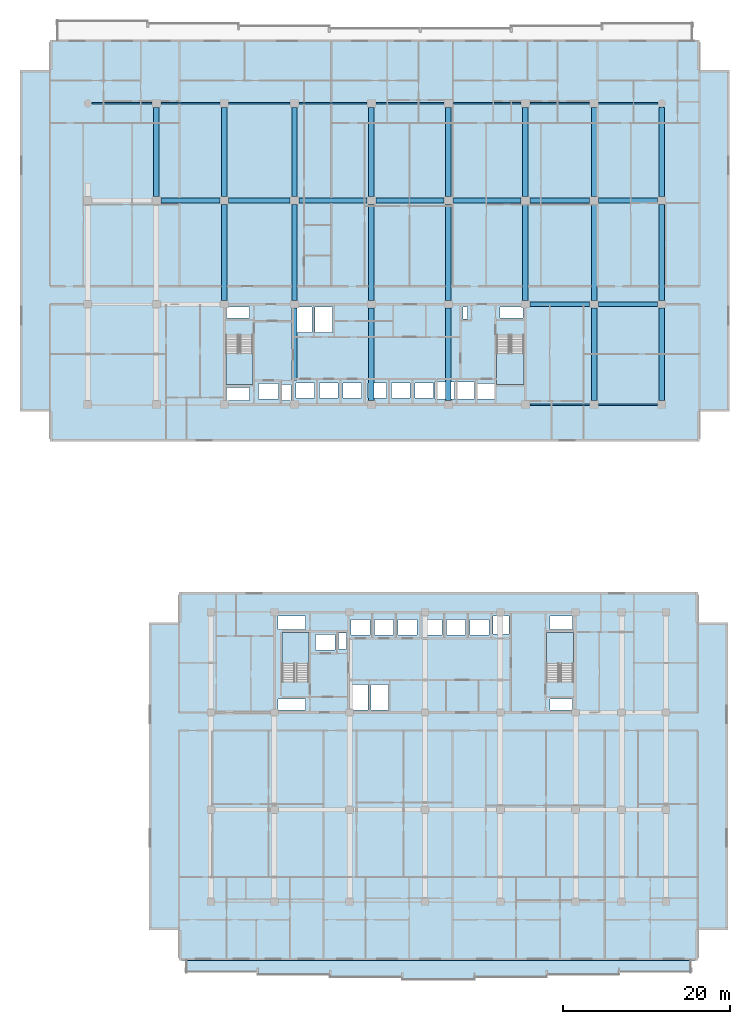
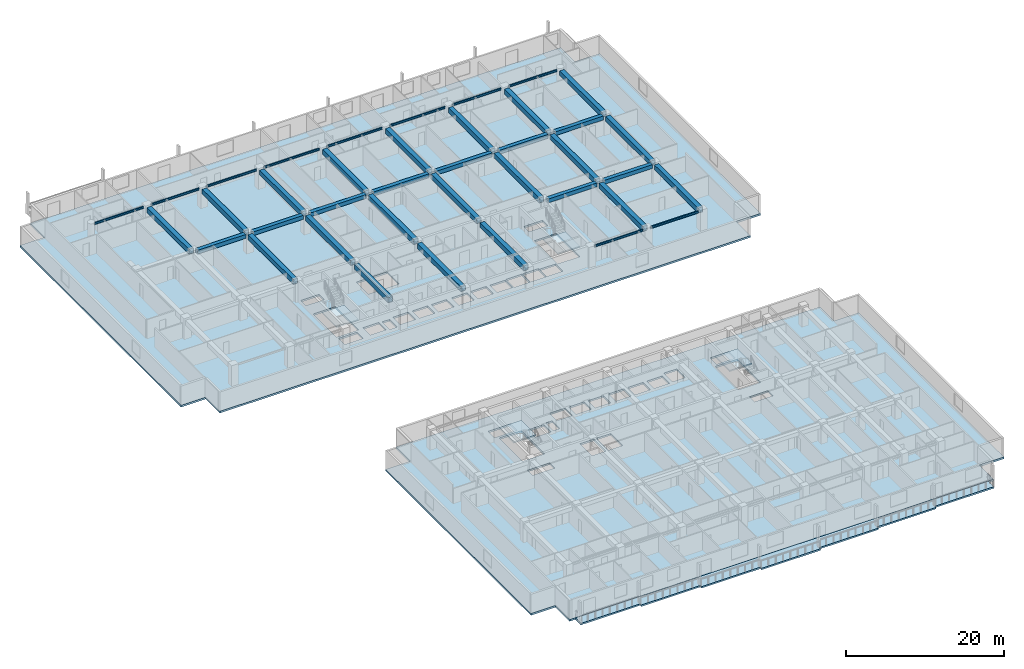
# One storey, part 2 of 24: 39 beams, 7 slabs, 4 elements without a shape of their own.
"""IFC4 building model written with IfcOpenShell, lengths in metres."""

import ifcopenshell
import ifcopenshell.guid

model = None  # the IFC model being written
_history = None  # IfcOwnerHistory: only IFC2X3 demands one
_inside = {}  # id of a spatial element -> (the spatial element, [elements in it])
_under = {}  # id of a project, library or spatial element -> (it, [spatial elements below it])
_declared = {}  # id of a project -> (the project, [libraries it declares])
_typed = {}  # id of a type object -> (the type object, [elements of that type])
_made_of = {}  # id of a material, layer set ... -> (it, [elements and type objects made of it])


def new_model(schema):
    """Start an empty IFC model of exactly this schema.

    Asked for "IFC4X3", IfcOpenShell would pick the latest addendum, in which some entities
    have other attributes; the version numbers below select the first issue.
    IFC2X3 requires an IfcOwnerHistory on every rooted entity: one is made here for all.
    """
    global model, _history
    if schema == "IFC4X3":
        model = ifcopenshell.file(schema_version=(4, 3, 0, 0))
    else:
        model = ifcopenshell.file(schema=schema)
    _inside.clear()
    _under.clear()
    _declared.clear()
    _typed.clear()
    _made_of.clear()
    _history = None
    if model.schema == "IFC2X3":
        org = make("IfcOrganization", Name="unknown")
        user = make(
            "IfcPersonAndOrganization",
            ThePerson=make("IfcPerson", FamilyName="unknown"),
            TheOrganization=org,
        )
        app = make(
            "IfcApplication",
            ApplicationDeveloper=org,
            Version="unknown",
            ApplicationFullName="unknown",
            ApplicationIdentifier="unknown",
        )
        _history = make(
            "IfcOwnerHistory",
            OwningUser=user,
            OwningApplication=app,
            ChangeAction="ADDED",
            CreationDate=0,
        )
    return model


def make(cls, **values):
    """One entity of the class cls with the attributes given. An attribute that is None is left unset."""
    return model.create_entity(
        cls, **{name: value for name, value in values.items() if value is not None}
    )


def rooted(cls, **values):
    """An entity with a GlobalId (a new one), such as an element, a storey or a relation."""
    return make(cls, GlobalId=ifcopenshell.guid.new(), OwnerHistory=_history, **values)


def si_unit(unit_type, name, prefix=None):
    """IfcSIUnit, for example si_unit("LENGTHUNIT", "METRE", prefix="MILLI")."""
    return make("IfcSIUnit", UnitType=unit_type, Prefix=prefix, Name=name)


def assignment(units):
    """IfcUnitAssignment: the units of a project."""
    return None if units is None else make("IfcUnitAssignment", Units=units)


def point(xyz):
    """IfcCartesianPoint."""
    return None if xyz is None else make("IfcCartesianPoint", Coordinates=xyz)


def direction(xyz):
    """IfcDirection."""
    return None if xyz is None else make("IfcDirection", DirectionRatios=xyz)


def frame(location, z_axis=None, x_axis=None):
    """IfcAxis2Placement3D, a coordinate frame: its origin and axes. An axis left out is left unset."""
    return make(
        "IfcAxis2Placement3D",
        Location=point(location),
        Axis=direction(z_axis),
        RefDirection=direction(x_axis),
    )


def frame_2d(location, x_axis=None):
    """IfcAxis2Placement2D, a coordinate frame in the plane: its origin and x axis."""
    return make(
        "IfcAxis2Placement2D", Location=point(location), RefDirection=direction(x_axis)
    )


def origin():
    """The frame at (0, 0, 0) with its axes left unset."""
    return frame((0.0, 0.0, 0.0))


def origin_2d():
    """The frame at (0, 0) in the plane with its x axis left unset."""
    return frame_2d((0.0, 0.0))


def place(relative_to, where):
    """IfcLocalPlacement: puts the frame where relative to a parent placement (None: the world)."""
    return make(
        "IfcLocalPlacement", PlacementRelTo=relative_to, RelativePlacement=where
    )


def context(
    kind, dimensions, precision=None, world=None, true_north=None, identifier=None
):
    """IfcGeometricRepresentationContext, for example the 3D "Model" context."""
    return make(
        "IfcGeometricRepresentationContext",
        ContextIdentifier=identifier,
        ContextType=kind,
        CoordinateSpaceDimension=dimensions,
        Precision=precision,
        WorldCoordinateSystem=world,
        TrueNorth=true_north,
    )


def subcontext(parent, identifier, kind, view, scale=None):
    """IfcGeometricRepresentationSubContext, for example "Body" below "Model"."""
    return make(
        "IfcGeometricRepresentationSubContext",
        ContextIdentifier=identifier,
        ContextType=kind,
        ParentContext=parent,
        TargetScale=scale,
        TargetView=view,
    )


def project(units=None, contexts=None):
    """IfcProject with its units and contexts."""
    return rooted(
        "IfcProject",
        Name="project",
        RepresentationContexts=contexts,
        UnitsInContext=assignment(units),
    )


def spatial(cls, under=None, at=None, **own):
    """A site, building, storey or space (cls), placed at a placement, below another one or the project."""
    s = rooted(cls, ObjectPlacement=at, **own)
    if under is not None:
        _under.setdefault(under.id(), (under, []))[1].append(s)
    return s


def polyline(points):
    """IfcPolyline through the points."""
    return make("IfcPolyline", Points=[point(p) for p in points])


def profile(cls, at=None, kind="AREA", **sizes):
    """A parametric profile (cls). Its sizes go by their IFC names, for example OverallWidth=200.0."""
    return make(cls, ProfileType=kind, Position=at, **sizes)


def rectangle(**sizes):
    """IfcRectangleProfileDef."""
    return profile("IfcRectangleProfileDef", **sizes)


def i_section(**sizes):
    """IfcIShapeProfileDef."""
    return profile("IfcIShapeProfileDef", **sizes)


def outline(outer, holes=None, kind="AREA"):
    """IfcArbitraryClosedProfileDef: a profile drawn as a closed curve; with holes, ...WithVoids."""
    if holes is None:
        return make("IfcArbitraryClosedProfileDef", ProfileType=kind, OuterCurve=outer)
    return make(
        "IfcArbitraryProfileDefWithVoids",
        ProfileType=kind,
        OuterCurve=outer,
        InnerCurves=holes,
    )


def extrude(swept, where, along, depth):
    """IfcExtrudedAreaSolid: the profile swept, set in the frame where, extruded along a direction by depth."""
    return make(
        "IfcExtrudedAreaSolid",
        SweptArea=swept,
        Position=where,
        ExtrudedDirection=direction(along),
        Depth=depth,
    )


def shape(context_of_items, identifier, shape_type, items):
    """IfcShapeRepresentation: the items that make up one representation, for example the "Body"."""
    return make(
        "IfcShapeRepresentation",
        ContextOfItems=context_of_items,
        RepresentationIdentifier=identifier,
        RepresentationType=shape_type,
        Items=items,
    )


def material(Name=None, Category=None):
    """IfcMaterial."""
    return make("IfcMaterial", Name=Name, Category=Category)


def layer(
    of_material, thickness, ventilated=None, Name=None, Category=None, Priority=None
):
    """IfcMaterialLayer: one layer of a wall or slab, of a material (None: an air gap)."""
    return make(
        "IfcMaterialLayer",
        Material=of_material,
        LayerThickness=thickness,
        IsVentilated=ventilated,
        Name=Name,
        Category=Category,
        Priority=Priority,
    )


def layer_set(layers, Name=None):
    """IfcMaterialLayerSet."""
    return make("IfcMaterialLayerSet", MaterialLayers=layers, LayerSetName=Name)


def material_profile(
    of_material, cross_section, Name=None, Category=None, Priority=None
):
    """IfcMaterialProfile: a cross section and its material."""
    return make(
        "IfcMaterialProfile",
        Name=Name,
        Material=of_material,
        Profile=cross_section,
        Priority=Priority,
        Category=Category,
    )


def profile_set(profiles, Name=None, composite=None):
    """IfcMaterialProfileSet."""
    return make(
        "IfcMaterialProfileSet",
        Name=Name,
        MaterialProfiles=profiles,
        CompositeProfile=composite,
    )


def made_of(thing, what):
    """Note that an element or type object is made of a material, layer set ...; save() writes the relation."""
    if what is not None:
        _made_of.setdefault(what.id(), (what, []))[1].append(thing)
    return thing


def type_object(cls, material=None, **own):
    """A type object (cls), such as IfcWallType, which elements share."""
    return made_of(rooted(cls, **own), material)


def element(
    cls,
    number,
    at=None,
    inside=None,
    cuts=None,
    type_object=None,
    material=None,
    context=None,
    identifier="Body",
    shape_type=None,
    held_by="IfcProductDefinitionShape",
    body=None,
    shapes=None,
    **own,
):
    """One element of the class cls, such as IfcWall. Its Tag is "e" and its number.

    at: its placement. inside: the storey or other place that contains it. cuts: it is an
    opening in that element (IfcRelVoidsElement). A single representation is given by context,
    identifier, shape_type and body (its items); several are given by shapes. held_by: the class
    of the entity that holds the representations. save() writes the other relations.
    """
    e = rooted(cls, Tag="e%d" % number, ObjectPlacement=at, **own)
    if body is not None:
        shapes = [shape(context, identifier, shape_type, body)]
    if shapes is not None:
        e.Representation = make(held_by, Representations=shapes)
    if inside is not None:
        _inside.setdefault(inside.id(), (inside, []))[1].append(e)
    if cuts is not None:
        rooted(
            "IfcRelVoidsElement", RelatingBuildingElement=cuts, RelatedOpeningElement=e
        )
    if type_object is not None:
        _typed.setdefault(type_object.id(), (type_object, []))[1].append(e)
    return made_of(e, material)


def aggregate(whole, parts):
    """IfcRelAggregates: a whole, such as a stair, and the parts it consists of."""
    return rooted("IfcRelAggregates", RelatingObject=whole, RelatedObjects=parts)


def save(model, path):
    """Write the relations noted so far, then the file.

    IfcRelAggregates (storeys below a building ...), IfcRelContainedInSpatialStructure (elements
    in a storey), IfcRelDefinesByType, IfcRelAssociatesMaterial and IfcRelDeclares: one each for
    every whole, place, type object, material and project.
    """
    for whole, parts in _under.values():
        aggregate(whole, parts)
    for where, things in _inside.values():
        rooted(
            "IfcRelContainedInSpatialStructure",
            RelatedElements=things,
            RelatingStructure=where,
        )
    for kind, things in _typed.values():
        rooted("IfcRelDefinesByType", RelatedObjects=things, RelatingType=kind)
    for what, things in _made_of.values():
        rooted("IfcRelAssociatesMaterial", RelatedObjects=things, RelatingMaterial=what)
    for by, libraries in _declared.values():
        rooted("IfcRelDeclares", RelatingContext=by, RelatedDefinitions=libraries)
    model.write(path)


model = new_model("IFC4")

# Units and contexts
model_context = context("Model", 3, precision=1e-05, world=origin(), true_north=direction((0.0, 1.0)))
body_context = subcontext(model_context, "Body", "Model", "MODEL_VIEW")
ifc_project = project(units=[si_unit("LENGTHUNIT", "METRE"), si_unit("AREAUNIT", "SQUARE_METRE"), si_unit("VOLUMEUNIT", "CUBIC_METRE"), si_unit("PLANEANGLEUNIT", "RADIAN"), si_unit("MASSUNIT", "GRAM", prefix="KILO")], contexts=[model_context])

# Site, building, storey
site_placement = place(None, origin())
site = spatial("IfcSite", under=ifc_project, at=site_placement, CompositionType="ELEMENT")
building_placement = place(site_placement, origin())
building = spatial("IfcBuilding", under=site, at=building_placement, Name="Korimba Cascade Residences", CompositionType="ELEMENT")
storey_placement = place(building_placement, frame((0.0, 0.0, 43.5)))
storey = spatial("IfcBuildingStorey", under=building, at=storey_placement, Name="L11", CompositionType="ELEMENT", Elevation=43.5)

# Beams
ifc_material_1 = material(Name="Concrete C50/60", Category="concrete")
ifc_material_profile_1 = material_profile(ifc_material_1, rectangle(XDim=0.550048828125, YDim=0.60009765625, at=origin_2d()), Name="Concrete C50/60")
ifc_profile_set_1 = profile_set([ifc_material_profile_1], Name="Concrete C50/60")
beam_type_1 = type_object("IfcBeamType", Name="BM-RC-B600", PredefinedType="BEAM", material=ifc_profile_set_1)
beam_1_placement = place(storey_placement, frame((112.625, 67.199951171875, 2.669921875), z_axis=(1.0, 0.0, 0.0), x_axis=(0.0, 1.0, 0.0)))
element("IfcBeam", 1, at=beam_1_placement, inside=storey, type_object=beam_type_1, Name="L11 T1 E-W Girder Y2 Bay 7", PredefinedType="BEAM", context=body_context, shape_type="SweptSolid", body=[
    extrude(rectangle(XDim=0.550048828125, YDim=0.60009765625, at=origin_2d()), origin(), (0.0, 0.0, 1.0), 7.14990234375),
])
for number, where, z_axis, x_axis, name in (
    (2, (120.824951171875, 67.199951171875, 2.669921875), (1.0, 0.0, 0.0), (0.0, 1.0, 0.0), "L11 T1 E-W Girder Y2 Bay 8"),
    (3, (68.52490234375, 79.60009765625, 2.669921875), (1.0, 0.0, 0.0), (0.0, 1.0, 0.0), "L11 T1 E-W Girder Y3 Bay 2"),
):
    element("IfcBeam", number, at=place(storey_placement, frame(where, z_axis=z_axis, x_axis=x_axis)), inside=storey, type_object=beam_type_1, Name=name, PredefinedType="BEAM", context=body_context, shape_type="SweptSolid", body=[
        extrude(rectangle(XDim=0.550048828125, YDim=0.60009765625, at=origin_2d()), origin(), (0.0, 0.0, 1.0), 7.050048828125),
    ])
beam_2_placement = place(storey_placement, frame((76.625, 79.60009765625, 2.669921875), z_axis=(1.0, 0.0, 0.0), x_axis=(0.0, 1.0, 0.0)))
element("IfcBeam", 4, at=beam_2_placement, inside=storey, type_object=beam_type_1, Name="L11 T1 E-W Girder Y3 Bay 3", PredefinedType="BEAM", context=body_context, shape_type="SweptSolid", body=[
    extrude(rectangle(XDim=0.550048828125, YDim=0.60009765625, at=origin_2d()), origin(), (0.0, 0.0, 1.0), 7.35009765625),
])
beam_3_placement = place(storey_placement, frame((85.02490234375, 79.60009765625, 2.669921875), z_axis=(1.0, 0.0, 0.0), x_axis=(0.0, 1.0, 0.0)))
element("IfcBeam", 5, at=beam_3_placement, inside=storey, type_object=beam_type_1, Name="L11 T1 E-W Girder Y3 Bay 4", PredefinedType="BEAM", context=body_context, shape_type="SweptSolid", body=[
    extrude(rectangle(XDim=0.550048828125, YDim=0.60009765625, at=origin_2d()), origin(), (0.0, 0.0, 1.0), 8.150146484375),
])
for number, where, z_axis, x_axis, name in (
    (6, (94.22509765625, 79.60009765625, 2.669921875), (1.0, 0.0, 0.0), (0.0, 1.0, 0.0), "L11 T1 E-W Girder Y3 Bay 5"),
    (7, (103.425048828125, 79.60009765625, 2.669921875), (1.0, 0.0, 0.0), (0.0, 1.0, 0.0), "L11 T1 E-W Girder Y3 Bay 6"),
):
    element("IfcBeam", number, at=place(storey_placement, frame(where, z_axis=z_axis, x_axis=x_axis)), inside=storey, type_object=beam_type_1, Name=name, PredefinedType="BEAM", context=body_context, shape_type="SweptSolid", body=[
        extrude(rectangle(XDim=0.550048828125, YDim=0.60009765625, at=origin_2d()), origin(), (0.0, 0.0, 1.0), 8.14990234375),
    ])
beam_4_placement = place(storey_placement, frame((112.625, 79.60009765625, 2.669921875), z_axis=(1.0, 0.0, 0.0), x_axis=(0.0, 1.0, 0.0)))
element("IfcBeam", 8, at=beam_4_placement, inside=storey, type_object=beam_type_1, Name="L11 T1 E-W Girder Y3 Bay 7", PredefinedType="BEAM", context=body_context, shape_type="SweptSolid", body=[
    extrude(rectangle(XDim=0.550048828125, YDim=0.60009765625, at=origin_2d()), origin(), (0.0, 0.0, 1.0), 7.14990234375),
])
beam_5_placement = place(storey_placement, frame((120.824951171875, 79.60009765625, 2.669921875), z_axis=(1.0, 0.0, 0.0), x_axis=(0.0, 1.0, 0.0)))
element("IfcBeam", 9, at=beam_5_placement, inside=storey, type_object=beam_type_1, Name="L11 T1 E-W Girder Y3 Bay 8", PredefinedType="BEAM", context=body_context, shape_type="SweptSolid", body=[
    extrude(rectangle(XDim=0.550048828125, YDim=0.60009765625, at=origin_2d()), origin(), (0.0, 0.0, 1.0), 7.050048828125),
])
ifc_material_profile_2 = material_profile(ifc_material_1, rectangle(XDim=0.64990234375, YDim=0.75, at=origin_2d()), Name="Concrete C50/60")
ifc_profile_set_2 = profile_set([ifc_material_profile_2], Name="Concrete C50/60")
beam_type_2 = type_object("IfcBeamType", Name="BM-RC-G750", PredefinedType="BEAM", material=ifc_profile_set_2)
beam_6_placement = place(storey_placement, frame((68.0, 80.074951171875, 2.594970703125), z_axis=(0.0, 1.0, 0.0), x_axis=(-1.0, 0.0, 0.0)))
element("IfcBeam", 10, at=beam_6_placement, inside=storey, type_object=beam_type_2, Name="L11 T1 N-S Girder X2 Seg 3", PredefinedType="BEAM", context=body_context, shape_type="SweptSolid", body=[
    extrude(rectangle(XDim=0.64990234375, YDim=0.75, at=origin_2d()), origin(), (0.0, 0.0, 1.0), 10.650146484375),
])
beam_7_placement = place(storey_placement, frame((76.10009765625, 67.675048828125, 2.594970703125), z_axis=(0.0, 1.0, 0.0), x_axis=(-1.0, 0.0, 0.0)))
element("IfcBeam", 11, at=beam_7_placement, inside=storey, type_object=beam_type_2, Name="L11 T1 N-S Girder X3 Seg 2", PredefinedType="BEAM", context=body_context, shape_type="SweptSolid", body=[
    extrude(rectangle(XDim=0.64990234375, YDim=0.75, at=origin_2d()), origin(), (0.0, 0.0, 1.0), 11.449951171875),
])
beam_8_placement = place(storey_placement, frame((76.10009765625, 80.074951171875, 2.594970703125), z_axis=(0.0, 1.0, 0.0), x_axis=(-1.0, 0.0, 0.0)))
element("IfcBeam", 12, at=beam_8_placement, inside=storey, type_object=beam_type_2, Name="L11 T1 N-S Girder X3 Seg 3", PredefinedType="BEAM", context=body_context, shape_type="SweptSolid", body=[
    extrude(rectangle(XDim=0.64990234375, YDim=0.75, at=origin_2d()), origin(), (0.0, 0.0, 1.0), 10.650146484375),
])
beam_9_placement = place(storey_placement, frame((84.5, 58.159912109375, 2.594970703125), z_axis=(0.0, 1.0, 0.0), x_axis=(-1.0, 0.0, 0.0)))
element("IfcBeam", 13, at=beam_9_placement, inside=storey, type_object=beam_type_2, Name="L11 T1 N-S Girder X4 Seg 1", PredefinedType="BEAM", context=body_context, shape_type="SweptSolid", body=[
    extrude(rectangle(XDim=0.64990234375, YDim=0.75, at=origin_2d()), origin(), (0.0, 0.0, 1.0), 8.565185546875),
])
beam_10_placement = place(storey_placement, frame((84.5, 67.675048828125, 2.594970703125), z_axis=(0.0, 1.0, 0.0), x_axis=(-1.0, 0.0, 0.0)))
element("IfcBeam", 14, at=beam_10_placement, inside=storey, type_object=beam_type_2, Name="L11 T1 N-S Girder X4 Seg 2", PredefinedType="BEAM", context=body_context, shape_type="SweptSolid", body=[
    extrude(rectangle(XDim=0.64990234375, YDim=0.75, at=origin_2d()), origin(), (0.0, 0.0, 1.0), 11.449951171875),
])
beam_11_placement = place(storey_placement, frame((84.5, 80.074951171875, 2.594970703125), z_axis=(0.0, 1.0, 0.0), x_axis=(-1.0, 0.0, 0.0)))
element("IfcBeam", 15, at=beam_11_placement, inside=storey, type_object=beam_type_2, Name="L11 T1 N-S Girder X4 Seg 3", PredefinedType="BEAM", context=body_context, shape_type="SweptSolid", body=[
    extrude(rectangle(XDim=0.64990234375, YDim=0.75, at=origin_2d()), origin(), (0.0, 0.0, 1.0), 10.650146484375),
])
beam_12_placement = place(storey_placement, frame((93.699951171875, 55.675048828125, 2.594970703125), z_axis=(0.0, 1.0, 0.0), x_axis=(-1.0, 0.0, 0.0)))
element("IfcBeam", 16, at=beam_12_placement, inside=storey, type_object=beam_type_2, Name="L11 T1 N-S Girder X5 Seg 1", PredefinedType="BEAM", context=body_context, shape_type="SweptSolid", body=[
    extrude(rectangle(XDim=0.64990234375, YDim=0.75, at=origin_2d()), origin(), (0.0, 0.0, 1.0), 11.050048828125),
])
beam_13_placement = place(storey_placement, frame((93.699951171875, 67.675048828125, 2.594970703125), z_axis=(0.0, 1.0, 0.0), x_axis=(-1.0, 0.0, 0.0)))
element("IfcBeam", 17, at=beam_13_placement, inside=storey, type_object=beam_type_2, Name="L11 T1 N-S Girder X5 Seg 2", PredefinedType="BEAM", context=body_context, shape_type="SweptSolid", body=[
    extrude(rectangle(XDim=0.64990234375, YDim=0.75, at=origin_2d()), origin(), (0.0, 0.0, 1.0), 11.449951171875),
])
beam_14_placement = place(storey_placement, frame((93.699951171875, 80.074951171875, 2.594970703125), z_axis=(0.0, 1.0, 0.0), x_axis=(-1.0, 0.0, 0.0)))
element("IfcBeam", 18, at=beam_14_placement, inside=storey, type_object=beam_type_2, Name="L11 T1 N-S Girder X5 Seg 3", PredefinedType="BEAM", context=body_context, shape_type="SweptSolid", body=[
    extrude(rectangle(XDim=0.64990234375, YDim=0.75, at=origin_2d()), origin(), (0.0, 0.0, 1.0), 10.650146484375),
])
beam_15_placement = place(storey_placement, frame((102.89990234375, 55.675048828125, 2.594970703125), z_axis=(0.0, 1.0, 0.0), x_axis=(-1.0, 0.0, 0.0)))
element("IfcBeam", 19, at=beam_15_placement, inside=storey, type_object=beam_type_2, Name="L11 T1 N-S Girder X6 Seg 1", PredefinedType="BEAM", context=body_context, shape_type="SweptSolid", body=[
    extrude(rectangle(XDim=0.64990234375, YDim=0.75, at=origin_2d()), origin(), (0.0, 0.0, 1.0), 11.050048828125),
])
beam_16_placement = place(storey_placement, frame((102.89990234375, 67.675048828125, 2.594970703125), z_axis=(0.0, 1.0, 0.0), x_axis=(-1.0, 0.0, 0.0)))
element("IfcBeam", 20, at=beam_16_placement, inside=storey, type_object=beam_type_2, Name="L11 T1 N-S Girder X6 Seg 2", PredefinedType="BEAM", context=body_context, shape_type="SweptSolid", body=[
    extrude(rectangle(XDim=0.64990234375, YDim=0.75, at=origin_2d()), origin(), (0.0, 0.0, 1.0), 11.449951171875),
])
beam_17_placement = place(storey_placement, frame((102.89990234375, 80.074951171875, 2.594970703125), z_axis=(0.0, 1.0, 0.0), x_axis=(-1.0, 0.0, 0.0)))
element("IfcBeam", 21, at=beam_17_placement, inside=storey, type_object=beam_type_2, Name="L11 T1 N-S Girder X6 Seg 3", PredefinedType="BEAM", context=body_context, shape_type="SweptSolid", body=[
    extrude(rectangle(XDim=0.64990234375, YDim=0.75, at=origin_2d()), origin(), (0.0, 0.0, 1.0), 10.650146484375),
])
beam_18_placement = place(storey_placement, frame((112.10009765625, 67.675048828125, 2.594970703125), z_axis=(0.0, 1.0, 0.0), x_axis=(-1.0, 0.0, 0.0)))
element("IfcBeam", 22, at=beam_18_placement, inside=storey, type_object=beam_type_2, Name="L11 T1 N-S Girder X7 Seg 2", PredefinedType="BEAM", context=body_context, shape_type="SweptSolid", body=[
    extrude(rectangle(XDim=0.64990234375, YDim=0.75, at=origin_2d()), origin(), (0.0, 0.0, 1.0), 11.449951171875),
])
beam_19_placement = place(storey_placement, frame((112.10009765625, 80.074951171875, 2.594970703125), z_axis=(0.0, 1.0, 0.0), x_axis=(-1.0, 0.0, 0.0)))
element("IfcBeam", 23, at=beam_19_placement, inside=storey, type_object=beam_type_2, Name="L11 T1 N-S Girder X7 Seg 3", PredefinedType="BEAM", context=body_context, shape_type="SweptSolid", body=[
    extrude(rectangle(XDim=0.64990234375, YDim=0.75, at=origin_2d()), origin(), (0.0, 0.0, 1.0), 10.650146484375),
])
beam_20_placement = place(storey_placement, frame((120.300048828125, 55.675048828125, 2.594970703125), z_axis=(0.0, 1.0, 0.0), x_axis=(-1.0, 0.0, 0.0)))
element("IfcBeam", 24, at=beam_20_placement, inside=storey, type_object=beam_type_2, Name="L11 T1 N-S Girder X8 Seg 1", PredefinedType="BEAM", context=body_context, shape_type="SweptSolid", body=[
    extrude(rectangle(XDim=0.64990234375, YDim=0.75, at=origin_2d()), origin(), (0.0, 0.0, 1.0), 11.050048828125),
])
beam_21_placement = place(storey_placement, frame((120.300048828125, 67.675048828125, 2.594970703125), z_axis=(0.0, 1.0, 0.0), x_axis=(-1.0, 0.0, 0.0)))
element("IfcBeam", 25, at=beam_21_placement, inside=storey, type_object=beam_type_2, Name="L11 T1 N-S Girder X8 Seg 2", PredefinedType="BEAM", context=body_context, shape_type="SweptSolid", body=[
    extrude(rectangle(XDim=0.64990234375, YDim=0.75, at=origin_2d()), origin(), (0.0, 0.0, 1.0), 11.449951171875),
])
beam_22_placement = place(storey_placement, frame((120.300048828125, 80.074951171875, 2.594970703125), z_axis=(0.0, 1.0, 0.0), x_axis=(-1.0, 0.0, 0.0)))
element("IfcBeam", 26, at=beam_22_placement, inside=storey, type_object=beam_type_2, Name="L11 T1 N-S Girder X8 Seg 3", PredefinedType="BEAM", context=body_context, shape_type="SweptSolid", body=[
    extrude(rectangle(XDim=0.64990234375, YDim=0.75, at=origin_2d()), origin(), (0.0, 0.0, 1.0), 10.650146484375),
])
beam_23_placement = place(storey_placement, frame((128.39990234375, 55.675048828125, 2.594970703125), z_axis=(0.0, 1.0, 0.0), x_axis=(-1.0, 0.0, 0.0)))
element("IfcBeam", 27, at=beam_23_placement, inside=storey, type_object=beam_type_2, Name="L11 T1 N-S Girder X9 Seg 1", PredefinedType="BEAM", context=body_context, shape_type="SweptSolid", body=[
    extrude(rectangle(XDim=0.64990234375, YDim=0.75, at=origin_2d()), origin(), (0.0, 0.0, 1.0), 11.050048828125),
])
beam_24_placement = place(storey_placement, frame((128.39990234375, 67.675048828125, 2.594970703125), z_axis=(0.0, 1.0, 0.0), x_axis=(-1.0, 0.0, 0.0)))
element("IfcBeam", 28, at=beam_24_placement, inside=storey, type_object=beam_type_2, Name="L11 T1 N-S Girder X9 Seg 2", PredefinedType="BEAM", context=body_context, shape_type="SweptSolid", body=[
    extrude(rectangle(XDim=0.64990234375, YDim=0.75, at=origin_2d()), origin(), (0.0, 0.0, 1.0), 11.449951171875),
])
beam_25_placement = place(storey_placement, frame((128.39990234375, 80.074951171875, 2.594970703125), z_axis=(0.0, 1.0, 0.0), x_axis=(-1.0, 0.0, 0.0)))
element("IfcBeam", 29, at=beam_25_placement, inside=storey, type_object=beam_type_2, Name="L11 T1 N-S Girder X9 Seg 3", PredefinedType="BEAM", context=body_context, shape_type="SweptSolid", body=[
    extrude(rectangle(XDim=0.64990234375, YDim=0.75, at=origin_2d()), origin(), (0.0, 0.0, 1.0), 10.650146484375),
])
ifc_material_2 = material(Name="Steel S355", Category="steel")
ifc_material_profile_3 = material_profile(ifc_material_2, i_section(OverallWidth=0.165771484375, OverallDepth=0.306640625, WebThickness=0.006591796875, FlangeThickness=0.01171875, FilletRadius=0.0087890625, at=origin_2d()), Name="Steel S355")
ifc_profile_set_3 = profile_set([ifc_material_profile_3], Name="Steel S355")
beam_type_3 = type_object("IfcBeamType", Name="BM-STL-UB305", PredefinedType="SPANDREL", material=ifc_profile_set_3)
beam_26_placement = place(storey_placement, frame((112.625, 55.199951171875, 2.816650390625), z_axis=(1.0, 0.0, 0.0), x_axis=(0.0, 1.0, 0.0)))
element("IfcBeam", 30, at=beam_26_placement, inside=storey, type_object=beam_type_3, Name="L11 T1 E-W Girder Y1 Bay 7", PredefinedType="SPANDREL", context=body_context, shape_type="SweptSolid", body=[
    extrude(i_section(OverallWidth=0.165771484375, OverallDepth=0.306640625, WebThickness=0.006591796875, FlangeThickness=0.01171875, FilletRadius=0.0087890625, at=origin_2d()), origin(), (0.0, 0.0, 1.0), 7.14990234375),
])
beam_27_placement = place(storey_placement, frame((120.824951171875, 55.199951171875, 2.816650390625), z_axis=(1.0, 0.0, 0.0), x_axis=(0.0, 1.0, 0.0)))
element("IfcBeam", 31, at=beam_27_placement, inside=storey, type_object=beam_type_3, Name="L11 T1 E-W Girder Y1 Bay 8", PredefinedType="SPANDREL", context=body_context, shape_type="SweptSolid", body=[
    extrude(i_section(OverallWidth=0.165771484375, OverallDepth=0.306640625, WebThickness=0.006591796875, FlangeThickness=0.01171875, FilletRadius=0.0087890625, at=origin_2d()), origin(), (0.0, 0.0, 1.0), 7.050048828125),
])
beam_28_placement = place(storey_placement, frame((60.27490234375, 91.199951171875, 2.816650390625), z_axis=(1.0, 0.0, 0.0), x_axis=(0.0, 1.0, 0.0)))
element("IfcBeam", 32, at=beam_28_placement, inside=storey, type_object=beam_type_3, Name="L11 T1 E-W Girder Y4 Bay 1", PredefinedType="SPANDREL", context=body_context, shape_type="SweptSolid", body=[
    extrude(i_section(OverallWidth=0.165771484375, OverallDepth=0.306640625, WebThickness=0.006591796875, FlangeThickness=0.01171875, FilletRadius=0.0087890625, at=origin_2d()), origin(), (0.0, 0.0, 1.0), 7.2001953125),
])
beam_29_placement = place(storey_placement, frame((68.52490234375, 91.199951171875, 2.816650390625), z_axis=(1.0, 0.0, 0.0), x_axis=(0.0, 1.0, 0.0)))
element("IfcBeam", 33, at=beam_29_placement, inside=storey, type_object=beam_type_3, Name="L11 T1 E-W Girder Y4 Bay 2", PredefinedType="SPANDREL", context=body_context, shape_type="SweptSolid", body=[
    extrude(i_section(OverallWidth=0.165771484375, OverallDepth=0.306640625, WebThickness=0.006591796875, FlangeThickness=0.01171875, FilletRadius=0.0087890625, at=origin_2d()), origin(), (0.0, 0.0, 1.0), 7.050048828125),
])
beam_30_placement = place(storey_placement, frame((76.625, 91.199951171875, 2.816650390625), z_axis=(1.0, 0.0, 0.0), x_axis=(0.0, 1.0, 0.0)))
element("IfcBeam", 34, at=beam_30_placement, inside=storey, type_object=beam_type_3, Name="L11 T1 E-W Girder Y4 Bay 3", PredefinedType="SPANDREL", context=body_context, shape_type="SweptSolid", body=[
    extrude(i_section(OverallWidth=0.165771484375, OverallDepth=0.306640625, WebThickness=0.006591796875, FlangeThickness=0.01171875, FilletRadius=0.0087890625, at=origin_2d()), origin(), (0.0, 0.0, 1.0), 7.35009765625),
])
beam_31_placement = place(storey_placement, frame((85.02490234375, 91.199951171875, 2.816650390625), z_axis=(1.0, 0.0, 0.0), x_axis=(0.0, 1.0, 0.0)))
element("IfcBeam", 35, at=beam_31_placement, inside=storey, type_object=beam_type_3, Name="L11 T1 E-W Girder Y4 Bay 4", PredefinedType="SPANDREL", context=body_context, shape_type="SweptSolid", body=[
    extrude(i_section(OverallWidth=0.165771484375, OverallDepth=0.306640625, WebThickness=0.006591796875, FlangeThickness=0.01171875, FilletRadius=0.0087890625, at=origin_2d()), origin(), (0.0, 0.0, 1.0), 8.150146484375),
])
for number, where, z_axis, x_axis, name in (
    (36, (94.22509765625, 91.199951171875, 2.816650390625), (1.0, 0.0, 0.0), (0.0, 1.0, 0.0), "L11 T1 E-W Girder Y4 Bay 5"),
    (37, (103.425048828125, 91.199951171875, 2.816650390625), (1.0, 0.0, 0.0), (0.0, 1.0, 0.0), "L11 T1 E-W Girder Y4 Bay 6"),
):
    element("IfcBeam", number, at=place(storey_placement, frame(where, z_axis=z_axis, x_axis=x_axis)), inside=storey, type_object=beam_type_3, Name=name, PredefinedType="SPANDREL", context=body_context, shape_type="SweptSolid", body=[
        extrude(i_section(OverallWidth=0.165771484375, OverallDepth=0.306640625, WebThickness=0.006591796875, FlangeThickness=0.01171875, FilletRadius=0.0087890625, at=origin_2d()), origin(), (0.0, 0.0, 1.0), 8.14990234375),
    ])
beam_32_placement = place(storey_placement, frame((112.625, 91.199951171875, 2.816650390625), z_axis=(1.0, 0.0, 0.0), x_axis=(0.0, 1.0, 0.0)))
element("IfcBeam", 38, at=beam_32_placement, inside=storey, type_object=beam_type_3, Name="L11 T1 E-W Girder Y4 Bay 7", PredefinedType="SPANDREL", context=body_context, shape_type="SweptSolid", body=[
    extrude(i_section(OverallWidth=0.165771484375, OverallDepth=0.306640625, WebThickness=0.006591796875, FlangeThickness=0.01171875, FilletRadius=0.0087890625, at=origin_2d()), origin(), (0.0, 0.0, 1.0), 7.14990234375),
])
beam_33_placement = place(storey_placement, frame((120.824951171875, 91.199951171875, 2.816650390625), z_axis=(1.0, 0.0, 0.0), x_axis=(0.0, 1.0, 0.0)))
element("IfcBeam", 39, at=beam_33_placement, inside=storey, type_object=beam_type_3, Name="L11 T1 E-W Girder Y4 Bay 8", PredefinedType="SPANDREL", context=body_context, shape_type="SweptSolid", body=[
    extrude(i_section(OverallWidth=0.165771484375, OverallDepth=0.306640625, WebThickness=0.006591796875, FlangeThickness=0.01171875, FilletRadius=0.0087890625, at=origin_2d()), origin(), (0.0, 0.0, 1.0), 7.10009765625),
])

# Stair, slab
stair_type_1 = type_object("IfcStairType", Name="STR-W1-18R-1806", PredefinedType="HALF_TURN_STAIR", material=ifc_material_1)
stair_1_placement = place(storey_placement, origin())
stair_1 = element("IfcStair", 40, at=stair_1_placement, inside=storey, type_object=stair_type_1, Name="L11 Tower 1 West Fire Stair ST-W1", PredefinedType="HALF_TURN_STAIR")
ifc_layer_1 = layer(ifc_material_1, 0.199951171875)
ifc_layer_set_1 = layer_set([ifc_layer_1], Name="Concrete C50/60")
slab_type_1 = type_object("IfcSlabType", Name="SLB-LND-220", PredefinedType="LANDING", material=ifc_layer_set_1)
slab_1_placement = place(storey_placement, frame((0.0, 0.0, 1.425048828125)))
slab_1 = element("IfcSlab", 41, at=slab_1_placement, type_object=slab_type_1, Name="ST-W1 landing 1", PredefinedType="LANDING", context=body_context, shape_type="SweptSolid", body=[
    extrude(outline(polyline([(76.300048828125, 61.31005859375), (76.300048828125, 57.60009765625), (79.5400390625, 57.60009765625), (79.5400390625, 61.31005859375), (76.300048828125, 61.31005859375)])), origin(), (0.0, 0.0, 1.0), 0.199951171875),
])
aggregate(stair_1, [slab_1])

stair_type_2 = type_object("IfcStairType", Name="STR-W2-18R-1806", PredefinedType="HALF_TURN_STAIR", material=ifc_material_1)
stair_2_placement = place(storey_placement, origin())
stair_2 = element("IfcStair", 42, at=stair_2_placement, inside=storey, type_object=stair_type_2, Name="L11 Tower 1 East Fire Stair ST-W2", PredefinedType="HALF_TURN_STAIR")
slab_2_placement = place(storey_placement, frame((0.0, 0.0, 1.425048828125)))
slab_2 = element("IfcSlab", 43, at=slab_2_placement, type_object=slab_type_1, Name="ST-W2 landing 1", PredefinedType="LANDING", context=body_context, shape_type="SweptSolid", body=[
    extrude(outline(polyline([(108.659912109375, 61.31005859375), (108.659912109375, 57.60009765625), (111.89990234375, 57.60009765625), (111.89990234375, 61.31005859375), (108.659912109375, 61.31005859375)])), origin(), (0.0, 0.0, 1.0), 0.199951171875),
])
aggregate(stair_2, [slab_2])

stair_type_3 = type_object("IfcStairType", Name="STR-E1-18R-1806", PredefinedType="HALF_TURN_STAIR", material=ifc_material_1)
stair_3_placement = place(storey_placement, origin())
stair_3 = element("IfcStair", 44, at=stair_3_placement, inside=storey, type_object=stair_type_3, Name="L11 Tower 2 West Fire Stair ST-E1", PredefinedType="HALF_TURN_STAIR")
slab_3_placement = place(storey_placement, frame((0.0, 0.0, 1.425048828125)))
slab_3 = element("IfcSlab", 45, at=slab_3_placement, type_object=slab_type_1, Name="ST-E1 landing 1", PredefinedType="LANDING", context=body_context, shape_type="SweptSolid", body=[
    extrude(outline(polyline([(86.239990234375, 24.2900390625), (86.239990234375, 28.0), (83.0, 28.0), (83.0, 24.2900390625), (86.239990234375, 24.2900390625)])), origin(), (0.0, 0.0, 1.0), 0.199951171875),
])
aggregate(stair_3, [slab_3])

stair_type_4 = type_object("IfcStairType", Name="STR-E2-18R-1806", PredefinedType="HALF_TURN_STAIR", material=ifc_material_1)
stair_4_placement = place(storey_placement, origin())
stair_4 = element("IfcStair", 46, at=stair_4_placement, inside=storey, type_object=stair_type_4, Name="L11 Tower 2 East Fire Stair ST-E2", PredefinedType="HALF_TURN_STAIR")
slab_4_placement = place(storey_placement, frame((0.0, 0.0, 1.425048828125)))
slab_4 = element("IfcSlab", 47, at=slab_4_placement, type_object=slab_type_1, Name="ST-E2 landing 1", PredefinedType="LANDING", context=body_context, shape_type="SweptSolid", body=[
    extrude(outline(polyline([(117.840087890625, 24.2900390625), (117.840087890625, 28.0), (114.60009765625, 28.0), (114.60009765625, 24.2900390625), (117.840087890625, 24.2900390625)])), origin(), (0.0, 0.0, 1.0), 0.199951171875),
])
aggregate(stair_4, [slab_4])

# Slabs
ifc_material_3 = material(Name="Precast concrete C40/50", Category="concrete")
ifc_layer_2 = layer(ifc_material_3, 0.239990234375)
ifc_layer_set_2 = layer_set([ifc_layer_2], Name="Precast concrete C40/50")
slab_type_2 = type_object("IfcSlabType", Name="SLB-LOG-240", PredefinedType="FLOOR", material=ifc_layer_set_2)
slab_5_placement = place(storey_placement, frame((0.0, 0.0, -0.239990234375)))
element("IfcSlab", 48, at=slab_5_placement, inside=storey, type_object=slab_type_2, Name="L11 Tower 2 South Loggia Slab", PredefinedType="FLOOR", context=body_context, shape_type="SweptSolid", body=[
    extrude(outline(polyline([(71.5, -12.64990234375), (80.128662109375, -12.64990234375), (80.128662109375, -12.949951171875), (88.757080078125, -12.949951171875), (88.757080078125, -13.25), (97.3857421875, -13.25), (97.3857421875, -13.550048828125), (106.014404296875, -13.550048828125), (106.014404296875, -13.25), (114.642822265625, -13.25), (114.642822265625, -12.949951171875), (123.271484375, -12.949951171875), (123.271484375, -12.64990234375), (131.89990234375, -12.64990234375), (131.89990234375, -11.199951171875), (71.5, -11.199951171875), (71.5, -12.64990234375)])), origin(), (0.0, 0.0, 1.0), 0.239990234375),
])
ifc_layer_3 = layer(ifc_material_1, 0.280029296875)
ifc_layer_set_3 = layer_set([ifc_layer_3], Name="Concrete C50/60")
slab_type_3 = type_object("IfcSlabType", Name="SLB-TYP-280", PredefinedType="FLOOR", material=ifc_layer_set_3)
slab_6_placement = place(storey_placement, frame((0.0, 0.0, -0.280029296875)))
element("IfcSlab", 49, at=slab_6_placement, inside=storey, type_object=slab_type_3, Name="L11 Tower 1 Floor Slab", PredefinedType="FLOOR", context=body_context, shape_type="SweptSolid", body=[
    extrude(outline(polyline([(55.300048828125, 50.800048828125), (132.89990234375, 50.800048828125), (132.89990234375, 54.39990234375), (136.5, 54.39990234375), (136.5, 95.199951171875), (132.89990234375, 95.199951171875), (132.89990234375, 98.800048828125), (55.300048828125, 98.800048828125), (55.300048828125, 95.199951171875), (51.699951171875, 95.199951171875), (51.699951171875, 54.39990234375), (55.300048828125, 54.39990234375), (55.300048828125, 50.800048828125)]), holes=[polyline([(76.300048828125, 63.514892578125), (76.300048828125, 57.60009765625), (79.5400390625, 57.60009765625), (79.5400390625, 63.514892578125), (76.300048828125, 63.514892578125)]), polyline([(108.659912109375, 63.514892578125), (108.659912109375, 57.60009765625), (111.89990234375, 57.60009765625), (111.89990234375, 63.514892578125), (108.659912109375, 63.514892578125)]), polyline([(80.22998046875, 55.8798828125), (82.570068359375, 55.8798828125), (82.570068359375, 57.719970703125), (80.22998046875, 57.719970703125), (80.22998046875, 55.8798828125)]), polyline([(106.080078125, 55.8798828125), (108.419921875, 55.8798828125), (108.419921875, 57.719970703125), (106.080078125, 57.719970703125), (106.080078125, 55.8798828125)]), polyline([(84.679931640625, 55.97998046875), (86.919921875, 55.97998046875), (86.919921875, 57.820068359375), (84.679931640625, 57.820068359375), (84.679931640625, 55.97998046875)]), polyline([(87.47998046875, 55.97998046875), (89.719970703125, 55.97998046875), (89.719970703125, 57.820068359375), (87.47998046875, 57.820068359375), (87.47998046875, 55.97998046875)]), polyline([(90.280029296875, 55.97998046875), (92.52001953125, 55.97998046875), (92.52001953125, 57.820068359375), (90.280029296875, 57.820068359375), (90.280029296875, 55.97998046875)]), polyline([(93.280029296875, 55.97998046875), (95.52001953125, 55.97998046875), (95.52001953125, 57.820068359375), (93.280029296875, 57.820068359375), (93.280029296875, 55.97998046875)]), polyline([(96.080078125, 55.97998046875), (98.320068359375, 55.97998046875), (98.320068359375, 57.820068359375), (96.080078125, 57.820068359375), (96.080078125, 55.97998046875)]), polyline([(98.8798828125, 55.97998046875), (101.1201171875, 55.97998046875), (101.1201171875, 57.820068359375), (98.8798828125, 57.820068359375), (98.8798828125, 55.97998046875)]), polyline([(101.304931640625, 55.8798828125), (103.594970703125, 55.8798828125), (103.594970703125, 57.919921875), (101.304931640625, 57.919921875), (101.304931640625, 55.8798828125)]), polyline([(103.705078125, 55.8798828125), (105.9951171875, 55.8798828125), (105.9951171875, 57.919921875), (103.705078125, 57.919921875), (103.705078125, 55.8798828125)]), polyline([(82.97998046875, 55.679931640625), (84.080078125, 55.679931640625), (84.080078125, 57.6201171875), (82.97998046875, 57.6201171875), (82.97998046875, 55.679931640625)]), polyline([(76.39990234375, 65.56005859375), (79.10009765625, 65.56005859375), (79.10009765625, 66.8798828125), (76.39990234375, 66.8798828125), (76.39990234375, 65.56005859375)]), polyline([(76.39990234375, 55.679931640625), (79.10009765625, 55.679931640625), (79.10009765625, 57.239990234375), (76.39990234375, 57.239990234375), (76.39990234375, 55.679931640625)]), polyline([(84.530029296875, 63.820068359375), (86.6201171875, 63.820068359375), (86.6201171875, 66.8798828125), (84.530029296875, 66.8798828125), (84.530029296875, 63.820068359375)]), polyline([(86.97998046875, 63.820068359375), (89.070068359375, 63.820068359375), (89.070068359375, 66.8798828125), (86.97998046875, 66.8798828125), (86.97998046875, 63.820068359375)]), polyline([(104.6201171875, 65.4599609375), (105.179931640625, 65.4599609375), (105.179931640625, 66.8798828125), (104.6201171875, 66.8798828125), (104.6201171875, 65.4599609375)]), polyline([(109.080078125, 65.56005859375), (111.800048828125, 65.56005859375), (111.800048828125, 66.8798828125), (109.080078125, 66.8798828125), (109.080078125, 65.56005859375)])]), origin(), (0.0, 0.0, 1.0), 0.280029296875),
])
slab_7_placement = place(storey_placement, frame((0.0, 0.0, -0.280029296875)))
element("IfcSlab", 50, at=slab_7_placement, inside=storey, type_object=slab_type_3, Name="L11 Tower 2 Floor Slab", PredefinedType="FLOOR", context=body_context, shape_type="SweptSolid", body=[
    extrude(outline(polyline([(70.699951171875, -11.199951171875), (132.699951171875, -11.199951171875), (132.699951171875, -7.60009765625), (136.300048828125, -7.60009765625), (136.300048828125, 29.199951171875), (132.699951171875, 29.199951171875), (132.699951171875, 32.800048828125), (70.699951171875, 32.800048828125), (70.699951171875, 29.199951171875), (67.10009765625, 29.199951171875), (67.10009765625, -7.60009765625), (70.699951171875, -7.60009765625), (70.699951171875, -11.199951171875)]), holes=[polyline([(86.239990234375, 22.0849609375), (86.239990234375, 28.0), (83.0, 28.0), (83.0, 22.0849609375), (86.239990234375, 22.0849609375)]), polyline([(117.840087890625, 22.0849609375), (117.840087890625, 28.0), (114.60009765625, 28.0), (114.60009765625, 22.0849609375), (117.840087890625, 22.0849609375)]), polyline([(87.030029296875, 25.8798828125), (89.3701171875, 25.8798828125), (89.3701171875, 27.719970703125), (87.030029296875, 27.719970703125), (87.030029296875, 25.8798828125)]), polyline([(91.280029296875, 27.679931640625), (93.52001953125, 27.679931640625), (93.52001953125, 29.52001953125), (91.280029296875, 29.52001953125), (91.280029296875, 27.679931640625)]), polyline([(94.080078125, 27.679931640625), (96.320068359375, 27.679931640625), (96.320068359375, 29.52001953125), (94.080078125, 29.52001953125), (94.080078125, 27.679931640625)]), polyline([(96.8798828125, 27.679931640625), (99.1201171875, 27.679931640625), (99.1201171875, 29.52001953125), (96.8798828125, 29.52001953125), (96.8798828125, 27.679931640625)]), polyline([(99.8798828125, 27.679931640625), (102.1201171875, 27.679931640625), (102.1201171875, 29.52001953125), (99.8798828125, 29.52001953125), (99.8798828125, 27.679931640625)]), polyline([(102.679931640625, 27.679931640625), (104.919921875, 27.679931640625), (104.919921875, 29.52001953125), (102.679931640625, 29.52001953125), (102.679931640625, 27.679931640625)]), polyline([(105.47998046875, 27.679931640625), (107.719970703125, 27.679931640625), (107.719970703125, 29.52001953125), (105.47998046875, 29.52001953125), (105.47998046875, 27.679931640625)]), polyline([(89.780029296875, 25.97998046875), (90.719970703125, 25.97998046875), (90.719970703125, 27.919921875), (89.780029296875, 27.919921875), (89.780029296875, 25.97998046875)]), polyline([(82.530029296875, 18.72998046875), (85.800048828125, 18.72998046875), (85.800048828125, 20.0400390625), (82.530029296875, 20.0400390625), (82.530029296875, 18.72998046875)]), polyline([(82.530029296875, 28.360107421875), (85.800048828125, 28.360107421875), (85.800048828125, 29.969970703125), (82.530029296875, 29.969970703125), (82.530029296875, 28.360107421875)]), polyline([(108.22998046875, 27.780029296875), (110.1201171875, 27.780029296875), (110.1201171875, 29.969970703125), (108.22998046875, 29.969970703125), (108.22998046875, 27.780029296875)]), polyline([(91.22998046875, 18.72998046875), (93.27001953125, 18.72998046875), (93.27001953125, 21.780029296875), (91.22998046875, 21.780029296875), (91.22998046875, 18.72998046875)]), polyline([(93.6298828125, 18.72998046875), (95.719970703125, 18.72998046875), (95.719970703125, 21.780029296875), (93.6298828125, 21.780029296875), (93.6298828125, 18.72998046875)]), polyline([(115.02001953125, 18.72998046875), (117.739990234375, 18.72998046875), (117.739990234375, 20.0400390625), (115.02001953125, 20.0400390625), (115.02001953125, 18.72998046875)]), polyline([(115.02001953125, 28.360107421875), (117.739990234375, 28.360107421875), (117.739990234375, 29.969970703125), (115.02001953125, 29.969970703125), (115.02001953125, 28.360107421875)])]), origin(), (0.0, 0.0, 1.0), 0.280029296875),
])

save(model, "model.ifc")
